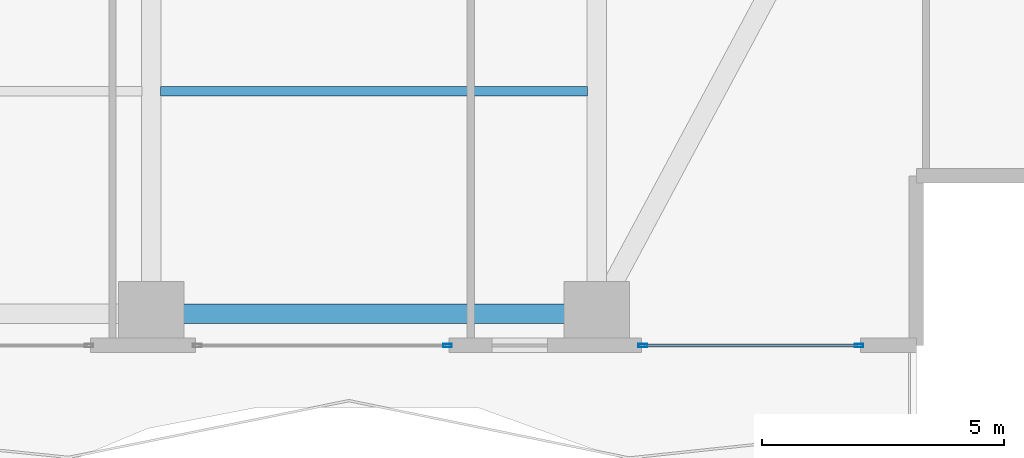
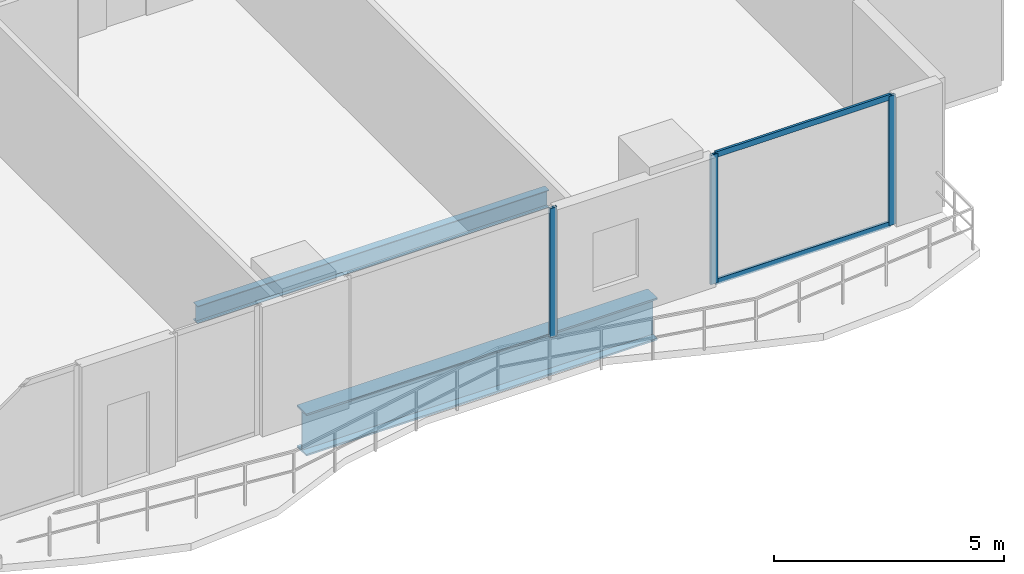
# One storey, part 9 of 29: 5 members, 2 beams, 2 elements without a shape of their own.
"""IFC4 building model written with IfcOpenShell, lengths in metres."""

from ifc_helpers import new_model, si_unit, direction, frame, origin, origin_2d, place, context, subcontext, project, spatial, hollow_rectangle, i_section, extrude, material, layer, layer_set, material_profile, profile_set, type_object, element, aggregate, save


model = new_model("IFC4")

# Units and contexts
model_context = context("Model", 3, precision=1e-05, world=origin(), true_north=direction((0.0, 1.0)))
body_context = subcontext(model_context, "Body", "Model", "MODEL_VIEW")
ifc_project = project(units=[si_unit("LENGTHUNIT", "METRE"), si_unit("AREAUNIT", "SQUARE_METRE"), si_unit("VOLUMEUNIT", "CUBIC_METRE"), si_unit("PLANEANGLEUNIT", "RADIAN"), si_unit("MASSUNIT", "GRAM", prefix="KILO")], contexts=[model_context])

# Site, building, storey
site_placement = place(None, origin())
site = spatial("IfcSite", under=ifc_project, at=site_placement, CompositionType="ELEMENT")
building_placement = place(site_placement, origin())
building = spatial("IfcBuilding", under=site, at=building_placement, Name="Zuhayl Quay Hotel", CompositionType="ELEMENT")
storey_placement = place(building_placement, frame((0.0, 0.0, 95.64990234375)))
storey = spatial("IfcBuildingStorey", under=building, at=storey_placement, Name="L23", CompositionType="ELEMENT", Elevation=95.64990234375)

# Beams
ifc_material_1 = material(Name="Steel ASTM A992 Grade 50", Category="steel")
ifc_material_profile_1 = material_profile(ifc_material_1, i_section(OverallWidth=0.18994140625, OverallDepth=0.45703125, WebThickness=0.009033203125, FlangeThickness=0.014404296875, at=origin_2d()), Name="W18X50")
ifc_profile_set_1 = profile_set([ifc_material_profile_1], Name="Steel ASTM A992 Grade 50")
beam_type_1 = type_object("IfcBeamType", Name="BM_J2_W18X50", PredefinedType="JOIST", material=ifc_profile_set_1)
beam_1_placement = place(storey_placement, frame((4.7939453125, -10.14990234375, -0.48828125), z_axis=(1.0, 0.0, 0.0), x_axis=(0.0, 1.0, 0.0)))
element("IfcBeam", 1, at=beam_1_placement, inside=storey, type_object=beam_type_1, Name="L23 Floor Beam FJ_L23_5_3", PredefinedType="JOIST", context=body_context, shape_type="SweptSolid", body=[
    extrude(i_section(OverallWidth=0.18994140625, OverallDepth=0.45703125, WebThickness=0.009033203125, FlangeThickness=0.014404296875, at=origin_2d()), origin(), (0.0, 0.0, 1.0), 8.81201171875),
])
ifc_material_2 = material(Name="Steel ASTM A913 Grade 65", Category="steel")
ifc_material_profile_2 = material_profile(ifc_material_2, i_section(OverallWidth=0.404052734375, OverallDepth=1.117919921875, WebThickness=0.026123046875, FlangeThickness=0.044921875, at=origin_2d()), Name="W44X335")
ifc_profile_set_2 = profile_set([ifc_material_profile_2], Name="Steel ASTM A913 Grade 65")
beam_type_2 = type_object("IfcBeamType", Name="BM_TG1_W44X335", PredefinedType="BEAM", material=ifc_profile_set_2)
beam_2_placement = place(storey_placement, frame((4.800048828125, -14.75, -0.81884765625), z_axis=(1.0, 0.0, 0.0), x_axis=(0.0, 1.0, 0.0)))
element("IfcBeam", 2, at=beam_2_placement, inside=storey, type_object=beam_type_2, Name="L23 Floor Beam RG_L23_03", PredefinedType="BEAM", context=body_context, shape_type="SweptSolid", body=[
    extrude(i_section(OverallWidth=0.404052734375, OverallDepth=1.117919921875, WebThickness=0.026123046875, FlangeThickness=0.044921875, at=origin_2d()), origin(), (0.0, 0.0, 1.0), 8.800048828125),
])

# Curtain wall, members
ifc_material_3 = material(Name="Anodised Aluminium 6063-T6", Category="aluminium")
ifc_layer = layer(ifc_material_3, 0.179931640625, Name="Anodised Aluminium 6063-T6", Category="aluminium")
ifc_layer_set = layer_set([ifc_layer], Name="Anodised Aluminium 6063-T6")
curtain_wall_type = type_object("IfcCurtainWallType", Name="CW_SYS_Z2", PredefinedType="USERDEFINED", material=ifc_layer_set)
curtain_wall_1_placement = place(storey_placement, origin())
curtain_wall_1 = element("IfcCurtainWall", 3, at=curtain_wall_1_placement, inside=storey, type_object=curtain_wall_type, Name="L23 Curtain Wall ENV_L23_S_CW1", ObjectType="UNITISED CURTAIN WALL", PredefinedType="USERDEFINED")
ifc_material_4 = material(Name="Black-anodised aluminium 6063-T6", Category="aluminium")
ifc_material_profile_3 = material_profile(ifc_material_4, hollow_rectangle(XDim=0.06494140625, YDim=0.179931640625, WallThickness=0.00341796875, at=origin_2d()), Name="ALU180X65")
ifc_profile_set_3 = profile_set([ifc_material_profile_3], Name="Black-anodised aluminium 6063-T6")
member_type_1 = type_object("IfcMemberType", Name="MB_CW_MUL_180", PredefinedType="MULLION", material=ifc_profile_set_3)
member_1_placement = place(storey_placement, frame((19.217529296875, -15.39990234375, 0.0), z_axis=(0.0, 0.0, 1.0), x_axis=(0.0, -1.0, 0.0)))
member_1 = element("IfcMember", 4, at=member_1_placement, type_object=member_type_1, Name="CW-Z2 mullion 1", PredefinedType="MULLION", context=body_context, shape_type="SweptSolid", body=[
    extrude(hollow_rectangle(XDim=0.06494140625, YDim=0.179931640625, WallThickness=0.00341796875, at=origin_2d()), origin(), (0.0, 0.0, 1.0), 3.43017578125),
])
member_2_placement = place(storey_placement, frame((14.75244140625, -15.39990234375, 0.0), z_axis=(0.0, 0.0, 1.0), x_axis=(0.0, -1.0, 0.0)))
member_2 = element("IfcMember", 5, at=member_2_placement, type_object=member_type_1, Name="CW-Z2 mullion 2", PredefinedType="MULLION", context=body_context, shape_type="SweptSolid", body=[
    extrude(hollow_rectangle(XDim=0.06494140625, YDim=0.179931640625, WallThickness=0.00341796875, at=origin_2d()), origin(), (0.0, 0.0, 1.0), 3.43017578125),
])

# Curtain wall, member
curtain_wall_2_placement = place(storey_placement, origin())
curtain_wall_2 = element("IfcCurtainWall", 6, at=curtain_wall_2_placement, inside=storey, type_object=curtain_wall_type, Name="L23 Curtain Wall ENV_L23_S_CW2", ObjectType="UNITISED CURTAIN WALL", PredefinedType="USERDEFINED")
member_3_placement = place(storey_placement, frame((10.717529296875, -15.39990234375, 0.0), z_axis=(0.0, 0.0, 1.0), x_axis=(0.0, -1.0, 0.0)))
member_3 = element("IfcMember", 7, at=member_3_placement, type_object=member_type_1, Name="CW-Z2 mullion 1", PredefinedType="MULLION", context=body_context, shape_type="SweptSolid", body=[
    extrude(hollow_rectangle(XDim=0.06494140625, YDim=0.179931640625, WallThickness=0.00341796875, at=origin_2d()), origin(), (0.0, 0.0, 1.0), 3.43017578125),
])
aggregate(curtain_wall_2, [member_3])

# Member
ifc_material_profile_4 = material_profile(ifc_material_4, hollow_rectangle(XDim=0.06005859375, YDim=0.14990234375, WallThickness=0.00341796875, at=origin_2d()), Name="ALU150X60")
ifc_profile_set_4 = profile_set([ifc_material_profile_4], Name="Black-anodised aluminium 6063-T6")
member_type_2 = type_object("IfcMemberType", Name="MB_CW_TRN_150", PredefinedType="USERDEFINED", material=ifc_profile_set_4)
member_4_placement = place(storey_placement, frame((19.18505859375, -15.39990234375, 0.030029296875), z_axis=(-1.0, 0.0, 0.0), x_axis=(0.0, -1.0, 0.0)))
member_4 = element("IfcMember", 8, at=member_4_placement, type_object=member_type_2, Name="CW-Z2 transom 1.1", ObjectType="TRANSOM", PredefinedType="USERDEFINED", context=body_context, shape_type="SweptSolid", body=[
    extrude(hollow_rectangle(XDim=0.06005859375, YDim=0.14990234375, WallThickness=0.00341796875, at=origin_2d()), origin(), (0.0, 0.0, 1.0), 4.400146484375),
])

member_5_placement = place(storey_placement, frame((19.18505859375, -15.39990234375, 3.400146484375), z_axis=(-1.0, 0.0, 0.0), x_axis=(0.0, -1.0, 0.0)))
member_5 = element("IfcMember", 9, at=member_5_placement, type_object=member_type_2, Name="CW-Z2 transom 1.2", ObjectType="TRANSOM", PredefinedType="USERDEFINED", context=body_context, shape_type="SweptSolid", body=[
    extrude(hollow_rectangle(XDim=0.06005859375, YDim=0.14990234375, WallThickness=0.00341796875, at=origin_2d()), origin(), (0.0, 0.0, 1.0), 4.400146484375),
])

aggregate(curtain_wall_1, [member_1, member_2, member_4, member_5])

save(model, "model.ifc")
